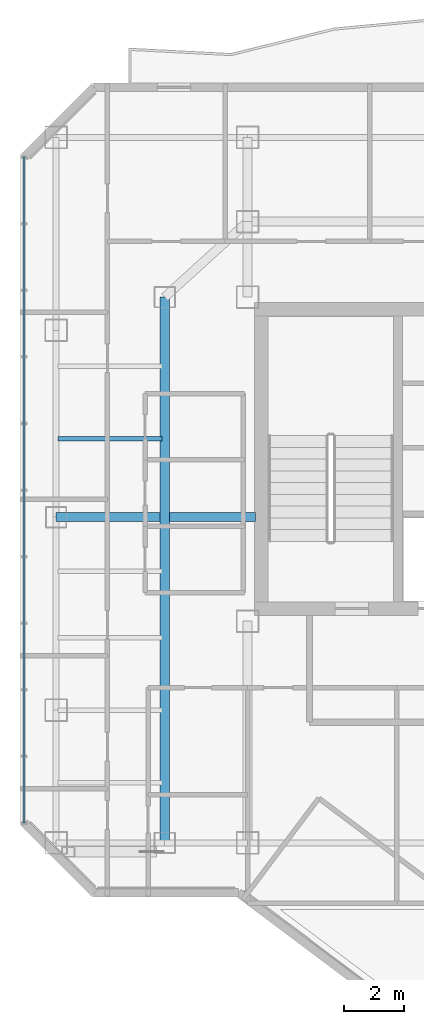
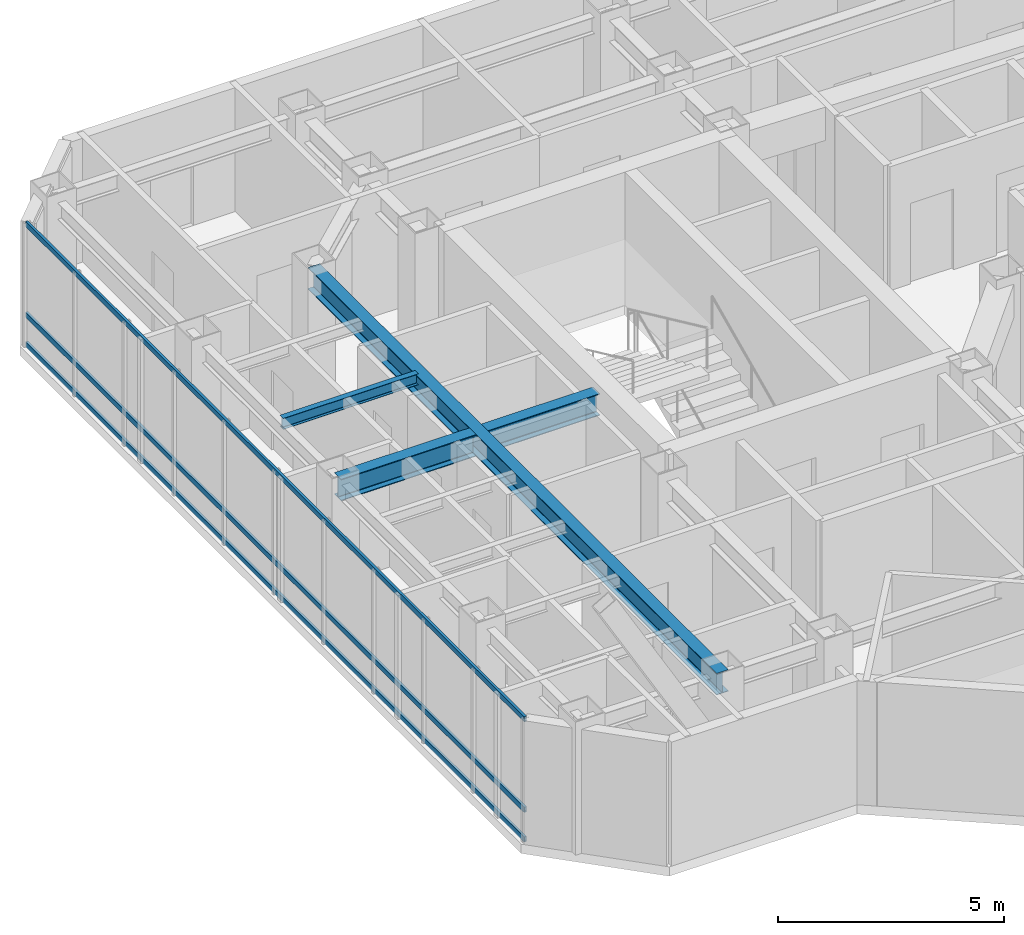
# One storey, part 7 of 26: 4 beams, 3 members, 1 element without a shape of its own.
"""IFC4 building model written with IfcOpenShell, lengths in metres."""

from ifc_helpers import new_model, si_unit, direction, frame, origin, origin_2d, place, context, subcontext, project, spatial, hollow_rectangle, i_section, extrude, material, layer, layer_set, material_profile, profile_set, type_object, element, aggregate, save


model = new_model("IFC4")

# Units and contexts
model_context = context("Model", 3, precision=1e-05, world=origin(), true_north=direction((0.0, 1.0)))
body_context = subcontext(model_context, "Body", "Model", "MODEL_VIEW")
ifc_project = project(units=[si_unit("LENGTHUNIT", "METRE"), si_unit("AREAUNIT", "SQUARE_METRE"), si_unit("VOLUMEUNIT", "CUBIC_METRE"), si_unit("PLANEANGLEUNIT", "RADIAN"), si_unit("MASSUNIT", "GRAM", prefix="KILO")], contexts=[model_context])

# Site, building, storey
site_placement = place(None, origin())
site = spatial("IfcSite", under=ifc_project, at=site_placement, CompositionType="ELEMENT")
building_placement = place(site_placement, origin())
building = spatial("IfcBuilding", under=site, at=building_placement, Name="Hatsunagi Terrace Concourse", CompositionType="ELEMENT")
storey_placement = place(building_placement, frame((0.0, 0.0, 195.14990234375)))
storey = spatial("IfcBuildingStorey", under=building, at=storey_placement, Name="L51", CompositionType="ELEMENT", Elevation=195.14990234375)

# Curtain wall, members
ifc_material_1 = material(Name="Anodised Aluminium Alloy 6063-T5", Category="aluminium")
ifc_layer = layer(ifc_material_1, 0.199951171875)
ifc_layer_set = layer_set([ifc_layer], Name="OfficeZone2_CW04")
curtain_wall_type = type_object("IfcCurtainWallType", Name="OfficeZone2_CW04", PredefinedType="NOTDEFINED", material=ifc_layer_set)
curtain_wall_placement = place(storey_placement, origin())
curtain_wall = element("IfcCurtainWall", 1, at=curtain_wall_placement, inside=storey, type_object=curtain_wall_type, Name="Unitised Curtain Wall CW-04 CW-L51-08", PredefinedType="NOTDEFINED")
ifc_material_2 = material(Name="Anodised Aluminium Alloy 6063-T5", Category="aluminium")
ifc_material_profile_1 = material_profile(ifc_material_2, hollow_rectangle(XDim=0.06494140625, YDim=0.139892578125, WallThickness=0.00390625, at=origin_2d()), Name="ALU-TRN-140x65x4")
ifc_profile_set_1 = profile_set([ifc_material_profile_1], Name="Anodised Aluminium Alloy 6063-T5")
member_type = type_object("IfcMemberType", Name="CurtainWallTransom_140x65", PredefinedType="USERDEFINED", material=ifc_profile_set_1)
member_1_placement = place(storey_placement, frame((18.139892578125, 25.85791015625, 0.050048828125), z_axis=(0.0, 1.0, 0.0), x_axis=(-1.0, 0.0, 0.0)))
member_1 = element("IfcMember", 2, at=member_1_placement, type_object=member_type, Name="Curtain Wall Transom TRN-02", ObjectType="TRANSOM", PredefinedType="USERDEFINED", context=body_context, shape_type="SweptSolid", body=[
    extrude(hollow_rectangle(XDim=0.06494140625, YDim=0.139892578125, WallThickness=0.00390625, at=origin_2d()), origin(), (0.0, 0.0, 1.0), 22.083984375),
])
member_2_placement = place(storey_placement, frame((18.139892578125, 25.85791015625, 0.85009765625), z_axis=(0.0, 1.0, 0.0), x_axis=(-1.0, 0.0, 0.0)))
member_2 = element("IfcMember", 3, at=member_2_placement, type_object=member_type, Name="Curtain Wall Transom TRN-02", ObjectType="TRANSOM", PredefinedType="USERDEFINED", context=body_context, shape_type="SweptSolid", body=[
    extrude(hollow_rectangle(XDim=0.06494140625, YDim=0.139892578125, WallThickness=0.00390625, at=origin_2d()), origin(), (0.0, 0.0, 1.0), 22.083984375),
])
member_3_placement = place(storey_placement, frame((18.139892578125, 25.85791015625, 3.300048828125), z_axis=(0.0, 1.0, 0.0), x_axis=(-1.0, 0.0, 0.0)))
member_3 = element("IfcMember", 4, at=member_3_placement, type_object=member_type, Name="Curtain Wall Transom TRN-02", ObjectType="TRANSOM", PredefinedType="USERDEFINED", context=body_context, shape_type="SweptSolid", body=[
    extrude(hollow_rectangle(XDim=0.06494140625, YDim=0.139892578125, WallThickness=0.00390625, at=origin_2d()), origin(), (0.0, 0.0, 1.0), 22.083984375),
])
aggregate(curtain_wall, [member_1, member_2, member_3])

# Beams
ifc_material_3 = material(Name="Steel SN490B", Category="steel")
ifc_material_profile_2 = material_profile(ifc_material_3, i_section(OverallWidth=0.300048828125, OverallDepth=0.587890625, WebThickness=0.011962890625, FlangeThickness=0.02001953125, FilletRadius=0.01806640625, at=origin_2d()), Name="H-588x300x12x20")
ifc_profile_set_2 = profile_set([ifc_material_profile_2], Name="Steel SN490B")
beam_type_1 = type_object("IfcBeamType", Name="OfficeHighGirder_H_588x300", PredefinedType="BEAM", material=ifc_profile_set_2)
beam_1_placement = place(storey_placement, frame((22.800048828125, 25.199951171875, 3.05615234375), z_axis=(0.0, 1.0, 0.0), x_axis=(-1.0, 0.0, 0.0)))
element("IfcBeam", 5, at=beam_1_placement, inside=storey, type_object=beam_type_1, Name="Beam G-06 BM-L51-CWNS", PredefinedType="BEAM", context=body_context, shape_type="SweptSolid", body=[
    extrude(i_section(OverallWidth=0.300048828125, OverallDepth=0.587890625, WebThickness=0.011962890625, FlangeThickness=0.02001953125, FilletRadius=0.01806640625, at=origin_2d()), origin(), (0.0, 0.0, 1.0), 18.10009765625),
])
beam_2_placement = place(storey_placement, frame((19.199951171875, 36.0, 3.05615234375), z_axis=(1.0, 0.0, 0.0), x_axis=(0.0, 1.0, 0.0)))
element("IfcBeam", 6, at=beam_2_placement, inside=storey, type_object=beam_type_1, Name="Beam G-06 BM-L51-EW-3", PredefinedType="BEAM", context=body_context, shape_type="SweptSolid", body=[
    extrude(i_section(OverallWidth=0.300048828125, OverallDepth=0.587890625, WebThickness=0.011962890625, FlangeThickness=0.02001953125, FilletRadius=0.01806640625, at=origin_2d()), origin(), (0.0, 0.0, 1.0), 3.449951171875),
])
beam_3_placement = place(storey_placement, frame((22.949951171875, 36.0, 3.05615234375), z_axis=(1.0, 0.0, 0.0), x_axis=(0.0, 1.0, 0.0)))
element("IfcBeam", 7, at=beam_3_placement, inside=storey, type_object=beam_type_1, Name="Beam G-06 BM-L51-EW-4", PredefinedType="BEAM", context=body_context, shape_type="SweptSolid", body=[
    extrude(i_section(OverallWidth=0.300048828125, OverallDepth=0.587890625, WebThickness=0.011962890625, FlangeThickness=0.02001953125, FilletRadius=0.01806640625, at=origin_2d()), origin(), (0.0, 0.0, 1.0), 2.860107421875),
])
ifc_material_4 = material(Name="Steel SN490B", Category="steel")
ifc_material_profile_3 = material_profile(ifc_material_4, i_section(OverallWidth=0.14990234375, OverallDepth=0.300048828125, WebThickness=0.006591796875, FlangeThickness=0.009033203125, FilletRadius=0.010986328125, at=origin_2d()), Name="H-300x150x6.5x9")
ifc_profile_set_3 = profile_set([ifc_material_profile_3], Name="Steel SN490B")
beam_type_2 = type_object("IfcBeamType", Name="OfficeJoist_H_300x150", PredefinedType="JOIST", material=ifc_profile_set_3)
beam_4_placement = place(storey_placement, frame((19.264892578125, 38.60009765625, 3.2001953125), z_axis=(1.0, 0.0, 0.0), x_axis=(0.0, 1.0, 0.0)))
element("IfcBeam", 8, at=beam_4_placement, inside=storey, type_object=beam_type_2, Name="Beam J-03 J-L51-W-19-386", PredefinedType="JOIST", context=body_context, shape_type="SweptSolid", body=[
    extrude(i_section(OverallWidth=0.14990234375, OverallDepth=0.300048828125, WebThickness=0.006591796875, FlangeThickness=0.009033203125, FilletRadius=0.010986328125, at=origin_2d()), origin(), (0.0, 0.0, 1.0), 3.4501953125),
])

save(model, "model.ifc")
